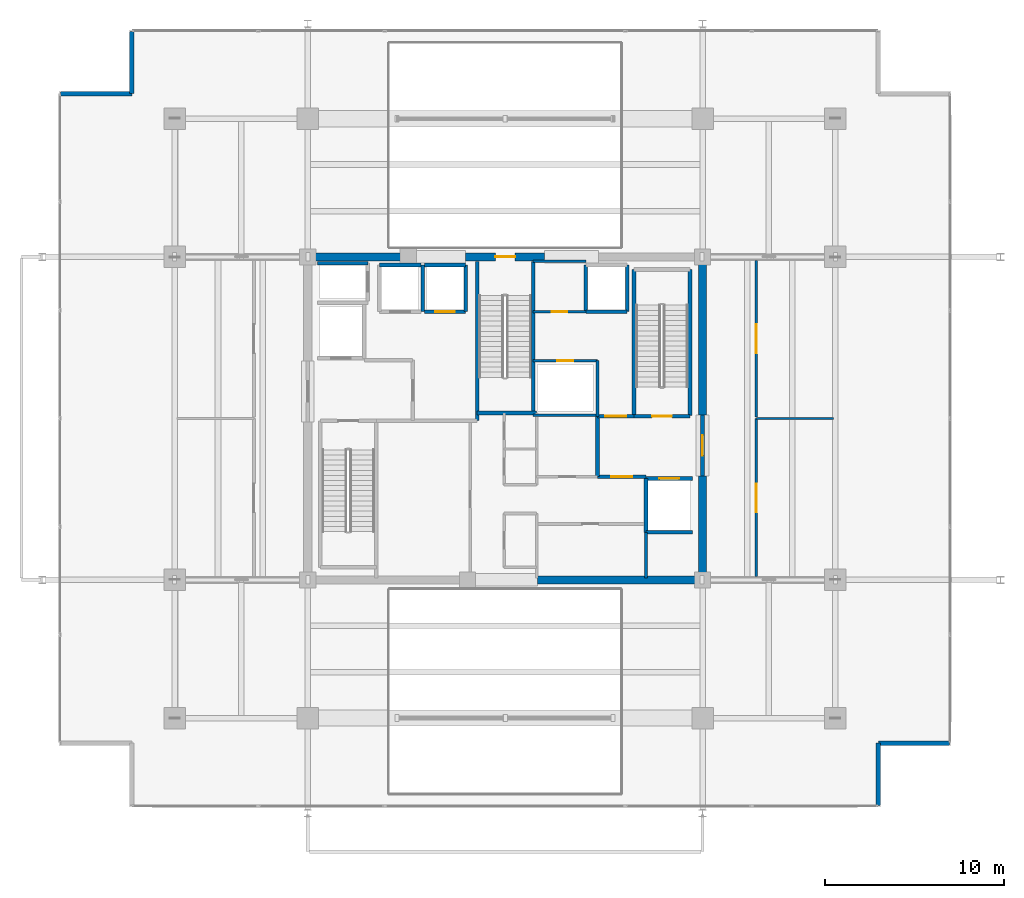
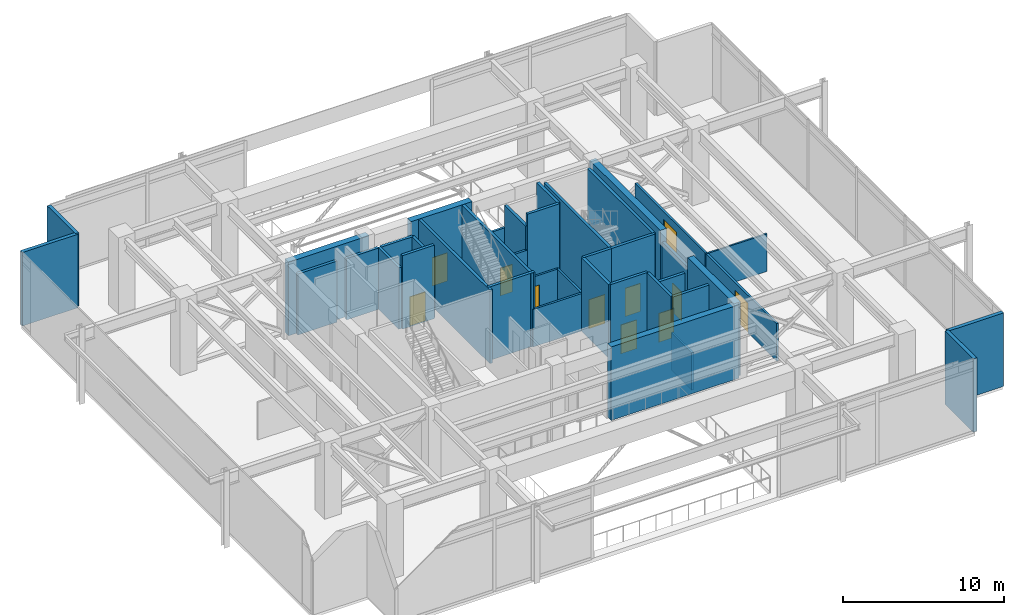
# One storey, part 23 of 26: 40 walls, 11 doors, 11 openings.
"""IFC4 building model written with IfcOpenShell, lengths in metres."""

from ifc_helpers import new_model, si_unit, direction, frame, frame_2d, origin, place, context, subcontext, project, spatial, rectangle, extrude, material, layer, layer_set, type_object, element, fill, save


model = new_model("IFC4")

# Units and contexts
model_context = context("Model", 3, precision=1e-05, world=origin(), true_north=direction((0.0, 1.0)))
body_context = subcontext(model_context, "Body", "Model", "MODEL_VIEW")
ifc_project = project(units=[si_unit("LENGTHUNIT", "METRE"), si_unit("AREAUNIT", "SQUARE_METRE"), si_unit("VOLUMEUNIT", "CUBIC_METRE"), si_unit("PLANEANGLEUNIT", "RADIAN"), si_unit("MASSUNIT", "GRAM", prefix="KILO")], contexts=[model_context])

# Site, building, storey
site_placement = place(None, origin())
site = spatial("IfcSite", under=ifc_project, at=site_placement, CompositionType="ELEMENT")
building_placement = place(site_placement, origin())
building = spatial("IfcBuilding", under=site, at=building_placement, Name="Kovane Verandah Tower", CompositionType="ELEMENT")
storey_placement = place(building_placement, frame((0.0, 0.0, 301.0)))
storey = spatial("IfcBuildingStorey", under=building, at=storey_placement, Name="L70", CompositionType="ELEMENT", Elevation=301.0)

# Walls
ifc_material_1 = material(Name="Fire-Rated Gypsum Stud Partition", Category="gypsum")
ifc_layer_1 = layer(ifc_material_1, 0.14990234375)
ifc_layer_set_1 = layer_set([ifc_layer_1], Name="Fire-Rated Gypsum Stud Partition")
wall_type_1 = type_object("IfcWallType", Name="WL-COR-150", PredefinedType="PARTITIONING", material=ifc_layer_set_1)
wall_1_placement = place(storey_placement, frame((41.56005859375, 27.679931640625, 0.0), z_axis=(0.0, 0.0, 1.0), x_axis=(1.0, 0.0, 0.0)))
element("IfcWall", 1, at=wall_1_placement, inside=storey, type_object=wall_type_1, Name="L70 East Core Service Riser South Wall", PredefinedType="PARTITIONING", context=body_context, shape_type="SweptSolid", body=[
    extrude(rectangle(XDim=3.58984375, YDim=0.14990234375, at=frame_2d((1.794921875, 0.0))), origin(), (0.0, 0.0, 1.0), 2.85009765625),
])
wall_2_placement = place(storey_placement, frame((47.85009765625, 18.60009765625, 0.0), z_axis=(0.0, 0.0, 1.0), x_axis=(0.0, 1.0, 0.0)))
element("IfcWall", 2, at=wall_2_placement, inside=storey, type_object=wall_type_1, Name="L70 East Core Support East Wall", PredefinedType="PARTITIONING", context=body_context, shape_type="SweptSolid", body=[
    extrude(rectangle(XDim=2.539794921875, YDim=0.14990234375, at=frame_2d((1.27001953125, 0.0))), origin(), (0.0, 0.0, 1.0), 2.85009765625),
])
wall_3_placement = place(storey_placement, frame((45.14990234375, 27.6201171875, 0.0), z_axis=(0.0, 0.0, 1.0), x_axis=(0.0, 1.0, 0.0)))
element("IfcWall", 3, at=wall_3_placement, inside=storey, type_object=wall_type_1, Name="L70 East Core Service Riser East Wall", PredefinedType="PARTITIONING", context=body_context, shape_type="SweptSolid", body=[
    extrude(rectangle(XDim=3.099853515625, YDim=0.14990234375, at=frame_2d((1.5498046875, 0.0))), origin(), (0.0, 0.0, 1.0), 2.85009765625),
])

# Wall, opening, door
wall_4_placement = place(storey_placement, frame((41.56005859375, 30.719970703125, 0.0), z_axis=(0.0, 0.0, 1.0), x_axis=(1.0, 0.0, 0.0)))
wall_4 = element("IfcWall", 4, at=wall_4_placement, inside=storey, type_object=wall_type_1, Name="L70 Combined Chilled Water and Smoke Duct Room Partition", PredefinedType="PARTITIONING", context=body_context, shape_type="SweptSolid", body=[
    extrude(rectangle(XDim=3.58984375, YDim=0.14990234375, at=frame_2d((1.794921875, 0.0))), origin(), (0.0, 0.0, 1.0), 2.85009765625),
])
opening_1_placement = place(wall_4_placement, frame((1.35498046875, 0.0, 0.0)))
opening_1 = element("IfcOpeningElement", 5, at=opening_1_placement, cuts=wall_4, Name="Opening DR-L70-016", PredefinedType="OPENING", context=body_context, shape_type="SweptSolid", body=[
    extrude(rectangle(XDim=0.8798828125, YDim=2.10009765625, at=frame_2d((0.43994140625, 1.050048828125))), frame((0.0, 0.074951171875, 0.0), z_axis=(0.0, -1.0, 0.0), x_axis=(1.0, 0.0, 0.0)), (0.0, 0.0, 1.0), 0.14990234375),
])
ifc_material_2 = material(Name="Fire-Rated Steel Riser Access Door", Category="steel")
door_type_1 = type_object("IfcDoorType", Name="DR-RISER-880", OperationType="SINGLE_SWING_LEFT", PredefinedType="DOOR", material=ifc_material_2)
door_1_placement = place(opening_1_placement, origin())
door_1 = element("IfcDoor", 6, at=door_1_placement, inside=storey, type_object=door_type_1, Name="L70 Combined Chilled Water and Smoke Duct Room Door", OperationType="SINGLE_SWING_LEFT", OverallHeight=2.10009765625, OverallWidth=0.8798828125, PredefinedType="DOOR", context=body_context, shape_type="SweptSolid", body=[
    extrude(rectangle(XDim=0.8798828125, YDim=2.10009765625, at=frame_2d((0.43994140625, 1.050048828125))), frame((0.0, 0.02490234375, 0.0), z_axis=(0.0, -1.0, 0.0), x_axis=(1.0, 0.0, 0.0)), (0.0, 0.0, 1.0), 0.050048828125),
])
fill(opening_1, door_1)

# Wall
wall_5_placement = place(storey_placement, frame((41.56005859375, 36.25, 0.0), z_axis=(0.0, 0.0, 1.0), x_axis=(1.0, 0.0, 0.0)))
element("IfcWall", 7, at=wall_5_placement, inside=storey, type_object=wall_type_1, Name="L70 Sky Telecom Riser North Wall", PredefinedType="PARTITIONING", context=body_context, shape_type="SweptSolid", body=[
    extrude(rectangle(XDim=2.93994140625, YDim=0.14990234375, at=frame_2d((1.469970703125, 0.0))), origin(), (0.0, 0.0, 1.0), 2.85009765625),
])

# Wall, opening, door
wall_6_placement = place(storey_placement, frame((41.56005859375, 33.449951171875, 0.0), z_axis=(0.0, 0.0, 1.0), x_axis=(1.0, 0.0, 0.0)))
wall_6 = element("IfcWall", 8, at=wall_6_placement, inside=storey, type_object=wall_type_1, Name="L70 Sky Telecom Riser Room Partition", PredefinedType="PARTITIONING", context=body_context, shape_type="SweptSolid", body=[
    extrude(rectangle(XDim=2.93994140625, YDim=0.14990234375, at=frame_2d((1.469970703125, 0.0))), origin(), (0.0, 0.0, 1.0), 2.85009765625),
])
opening_2_placement = place(wall_6_placement, frame((1.030029296875, 0.0, 0.0)))
opening_2 = element("IfcOpeningElement", 9, at=opening_2_placement, cuts=wall_6, Name="Opening DR-L70-015", PredefinedType="OPENING", context=body_context, shape_type="SweptSolid", body=[
    extrude(rectangle(XDim=0.8798828125, YDim=2.10009765625, at=frame_2d((0.43994140625, 1.050048828125))), frame((0.0, 0.074951171875, 0.0), z_axis=(0.0, -1.0, 0.0), x_axis=(1.0, 0.0, 0.0)), (0.0, 0.0, 1.0), 0.14990234375),
])
door_2_placement = place(opening_2_placement, origin())
door_2 = element("IfcDoor", 10, at=door_2_placement, inside=storey, type_object=door_type_1, Name="L70 Sky Telecom Riser Room Door", OperationType="SINGLE_SWING_RIGHT", OverallHeight=2.10009765625, OverallWidth=0.8798828125, PredefinedType="DOOR", context=body_context, shape_type="SweptSolid", body=[
    extrude(rectangle(XDim=0.8798828125, YDim=2.10009765625, at=frame_2d((0.43994140625, 1.050048828125))), frame((0.0, 0.02490234375, 0.0), z_axis=(0.0, -1.0, 0.0), x_axis=(1.0, 0.0, 0.0)), (0.0, 0.0, 1.0), 0.050048828125),
])
fill(opening_2, door_2)

wall_7_placement = place(storey_placement, frame((54.0, 18.699951171875, 0.0), z_axis=(0.0, 0.0, 1.0), x_axis=(0.0, 1.0, 0.0)))
wall_7 = element("IfcWall", 11, at=wall_7_placement, inside=storey, type_object=wall_type_1, Name="L70 Electrical Switchgear Plant Room East Corridor Partition", PredefinedType="PARTITIONING", context=body_context, shape_type="SweptSolid", body=[
    extrude(rectangle(XDim=8.800048828125, YDim=0.14990234375, at=frame_2d((4.39990234375, 0.0))), origin(), (0.0, 0.0, 1.0), 2.85009765625),
])
opening_3_placement = place(wall_7_placement, frame((3.56494140625, 0.0, 0.0)))
opening_3 = element("IfcOpeningElement", 12, at=opening_3_placement, cuts=wall_7, Name="Opening DR-L70-011", PredefinedType="OPENING", context=body_context, shape_type="SweptSolid", body=[
    extrude(rectangle(XDim=1.60009765625, YDim=2.25, at=frame_2d((0.800048828125, 1.125))), frame((0.0, 0.074951171875, 0.0), z_axis=(0.0, -1.0, 0.0), x_axis=(1.0, 0.0, 0.0)), (0.0, 0.0, 1.0), 0.14990234375),
])
ifc_material_3 = material(Name="Louvred Acoustic Steel Double Plant Door", Category="steel")
door_type_2 = type_object("IfcDoorType", Name="DR-PLANT-1600", OperationType="DOUBLE_DOOR_SINGLE_SWING", PredefinedType="DOOR", material=ifc_material_3)
door_3_placement = place(opening_3_placement, origin())
door_3 = element("IfcDoor", 13, at=door_3_placement, inside=storey, type_object=door_type_2, Name="L70 Electrical Switchgear Plant Room East Entrance Door", OperationType="DOUBLE_DOOR_SINGLE_SWING", OverallHeight=2.25, OverallWidth=1.60009765625, PredefinedType="DOOR", context=body_context, shape_type="SweptSolid", body=[
    extrude(rectangle(XDim=1.60009765625, YDim=2.25, at=frame_2d((0.800048828125, 1.125))), frame((0.0, 0.02490234375, 0.0), z_axis=(0.0, -1.0, 0.0), x_axis=(1.0, 0.0, 0.0)), (0.0, 0.0, 1.0), 0.050048828125),
])
fill(opening_3, door_3)

wall_8_placement = place(storey_placement, frame((54.0, 27.570068359375, 0.0), z_axis=(0.0, 0.0, 1.0), x_axis=(0.0, 1.0, 0.0)))
wall_8 = element("IfcWall", 14, at=wall_8_placement, inside=storey, type_object=wall_type_1, Name="L70 Pressurisation Fan Plant Room East Corridor Partition", PredefinedType="PARTITIONING", context=body_context, shape_type="SweptSolid", body=[
    extrude(rectangle(XDim=8.72998046875, YDim=0.14990234375, at=frame_2d((4.364990234375, 0.0))), origin(), (0.0, 0.0, 1.0), 2.85009765625),
])
opening_4_placement = place(wall_8_placement, frame((3.56494140625, 0.0, 0.0)))
opening_4 = element("IfcOpeningElement", 15, at=opening_4_placement, cuts=wall_8, Name="Opening DR-L70-009", PredefinedType="OPENING", context=body_context, shape_type="SweptSolid", body=[
    extrude(rectangle(XDim=1.60009765625, YDim=2.25, at=frame_2d((0.800048828125, 1.125))), frame((0.0, 0.074951171875, 0.0), z_axis=(0.0, -1.0, 0.0), x_axis=(1.0, 0.0, 0.0)), (0.0, 0.0, 1.0), 0.14990234375),
])
door_4_placement = place(opening_4_placement, origin())
door_4 = element("IfcDoor", 16, at=door_4_placement, inside=storey, type_object=door_type_2, Name="L70 Pressurisation Fan Plant Room East Entrance Door", OperationType="DOUBLE_DOOR_SINGLE_SWING", OverallHeight=2.25, OverallWidth=1.60009765625, PredefinedType="DOOR", context=body_context, shape_type="SweptSolid", body=[
    extrude(rectangle(XDim=1.60009765625, YDim=2.25, at=frame_2d((0.800048828125, 1.125))), frame((0.0, 0.02490234375, 0.0), z_axis=(0.0, -1.0, 0.0), x_axis=(1.0, 0.0, 0.0)), (0.0, 0.0, 1.0), 0.050048828125),
])
fill(opening_4, door_4)

# Walls
ifc_material_4 = material(Name="Concrete C60/75", Category="concrete")
ifc_layer_2 = layer(ifc_material_4, 0.449951171875)
ifc_layer_set_2 = layer_set([ifc_layer_2], Name="Concrete C60/75")
wall_type_2 = type_object("IfcWallType", Name="WL-CORE-450", PredefinedType="SHEAR", material=ifc_layer_set_2)
wall_9_placement = place(storey_placement, frame((41.800048828125, 18.5, 0.0), z_axis=(0.0, 0.0, 1.0), x_axis=(1.0, 0.0, 0.0)))
element("IfcWall", 17, at=wall_9_placement, inside=storey, type_object=wall_type_2, Name="L70 Core Shear Wall CS-2", PredefinedType="SHEAR", context=body_context, shape_type="SweptSolid", body=[
    extrude(rectangle(XDim=9.199951171875, YDim=0.449951171875, at=frame_2d((4.60009765625, 0.0))), origin(), (0.0, 0.0, 1.0), 5.5849609375),
])
wall_10_placement = place(storey_placement, frame((29.0, 36.5, 0.0), z_axis=(0.0, 0.0, 1.0), x_axis=(1.0, 0.0, 0.0)))
element("IfcWall", 18, at=wall_10_placement, inside=storey, type_object=wall_type_2, Name="L70 Core Shear Wall CN-1", PredefinedType="SHEAR", context=body_context, shape_type="SweptSolid", body=[
    extrude(rectangle(XDim=5.800048828125, YDim=0.449951171875, at=frame_2d((2.89990234375, 0.0))), origin(), (0.0, 0.0, 1.0), 5.5849609375),
])

# Wall, opening, door
wall_11_placement = place(storey_placement, frame((37.800048828125, 36.5, 0.0), z_axis=(0.0, 0.0, 1.0), x_axis=(1.0, 0.0, 0.0)))
wall_11 = element("IfcWall", 19, at=wall_11_placement, inside=storey, type_object=wall_type_2, Name="L70 Core Shear Wall CN-2", PredefinedType="SHEAR", context=body_context, shape_type="SweptSolid", body=[
    extrude(rectangle(XDim=4.39990234375, YDim=0.449951171875, at=frame_2d((2.199951171875, 0.0))), origin(), (0.0, 0.0, 1.0), 5.5849609375),
])
opening_5_placement = place(wall_11_placement, frame((1.64990234375, 0.0, 0.0)))
opening_5 = element("IfcOpeningElement", 20, at=opening_5_placement, cuts=wall_11, Name="Opening DR-L70-008", PredefinedType="OPENING", context=body_context, shape_type="SweptSolid", body=[
    extrude(rectangle(XDim=1.10009765625, YDim=2.14990234375, at=frame_2d((0.550048828125, 1.074951171875))), frame((0.0, 0.22509765625, 0.0), z_axis=(0.0, -1.0, 0.0), x_axis=(1.0, 0.0, 0.0)), (0.0, 0.0, 1.0), 0.449951171875),
])
ifc_material_5 = material(Name="Fire-Rated Steel Exit Door", Category="steel")
door_type_3 = type_object("IfcDoorType", Name="DR-STAIR-1100", OperationType="SINGLE_SWING_LEFT", PredefinedType="DOOR", material=ifc_material_5)
door_5_placement = place(opening_5_placement, origin())
door_5 = element("IfcDoor", 21, at=door_5_placement, inside=storey, type_object=door_type_3, Name="L70 ST-03 Fire Exit Stair Door", OperationType="SINGLE_SWING_RIGHT", OverallHeight=2.14990234375, OverallWidth=1.10009765625, PredefinedType="DOOR", context=body_context, shape_type="SweptSolid", body=[
    extrude(rectangle(XDim=1.10009765625, YDim=2.14990234375, at=frame_2d((0.550048828125, 1.074951171875))), frame((0.0, 0.02490234375, 0.0), z_axis=(0.0, -1.0, 0.0), x_axis=(1.0, 0.0, 0.0)), (0.0, 0.0, 1.0), 0.050048828125),
])
fill(opening_5, door_5)

# Walls
wall_12_placement = place(storey_placement, frame((51.0, 18.5, 0.0), z_axis=(0.0, 0.0, 1.0), x_axis=(0.0, 1.0, 0.0)))
element("IfcWall", 22, at=wall_12_placement, inside=storey, type_object=wall_type_2, Name="L70 Core Shear Wall CE-1", PredefinedType="SHEAR", context=body_context, shape_type="SweptSolid", body=[
    extrude(rectangle(XDim=5.800048828125, YDim=0.449951171875, at=frame_2d((2.89990234375, 0.0))), origin(), (0.0, 0.0, 1.0), 5.5849609375),
])
wall_13_placement = place(storey_placement, frame((51.0, 27.699951171875, 0.0), z_axis=(0.0, 0.0, 1.0), x_axis=(0.0, 1.0, 0.0)))
element("IfcWall", 23, at=wall_13_placement, inside=storey, type_object=wall_type_2, Name="L70 Core Shear Wall CE-2", PredefinedType="SHEAR", context=body_context, shape_type="SweptSolid", body=[
    extrude(rectangle(XDim=8.800048828125, YDim=0.449951171875, at=frame_2d((4.39990234375, 0.0))), origin(), (0.0, 0.0, 1.0), 5.5849609375),
])
ifc_material_6 = material(Name="Concrete C45/55 Fire Wall", Category="concrete")
ifc_layer_3 = layer(ifc_material_6, 0.199951171875)
ifc_layer_set_3 = layer_set([ifc_layer_3], Name="Concrete C45/55 Fire Wall")
wall_type_3 = type_object("IfcWallType", Name="WL-FFL-200", PredefinedType="PARTITIONING", material=ifc_layer_set_3)
wall_14_placement = place(storey_placement, frame((45.14990234375, 24.25, 0.0), z_axis=(0.0, 0.0, 1.0), x_axis=(0.0, 1.0, 0.0)))
element("IfcWall", 24, at=wall_14_placement, inside=storey, type_object=wall_type_3, Name="L70 East Firefighting Lobby West Fire Wall", PredefinedType="PARTITIONING", context=body_context, shape_type="SweptSolid", body=[
    extrude(rectangle(XDim=3.3701171875, YDim=0.199951171875, at=frame_2d((1.68505859375, 0.0))), origin(), (0.0, 0.0, 1.0), 5.5849609375),
])

# Wall, opening, door
wall_15_placement = place(storey_placement, frame((45.14990234375, 24.25, 0.0), z_axis=(0.0, 0.0, 1.0), x_axis=(1.0, 0.0, 0.0)))
wall_15 = element("IfcWall", 25, at=wall_15_placement, inside=storey, type_object=wall_type_3, Name="W-L70-FFLE-S", PredefinedType="PARTITIONING", context=body_context, shape_type="SweptSolid", body=[
    extrude(rectangle(XDim=2.7001953125, YDim=0.199951171875, at=frame_2d((1.35009765625, 0.0))), origin(), (0.0, 0.0, 1.0), 5.5849609375),
])
opening_6_placement = place(wall_15_placement, frame((0.77490234375, 0.0, 0.0)))
opening_6 = element("IfcOpeningElement", 26, at=opening_6_placement, cuts=wall_15, Name="Opening DR-L70-001", PredefinedType="OPENING", context=body_context, shape_type="SweptSolid", body=[
    extrude(rectangle(XDim=1.14990234375, YDim=2.199951171875, at=frame_2d((0.574951171875, 1.10009765625))), frame((0.0, 0.10009765625, 0.0), z_axis=(0.0, -1.0, 0.0), x_axis=(1.0, 0.0, 0.0)), (0.0, 0.0, 1.0), 0.199951171875),
])
ifc_material_7 = material(Name="Smoke-Sealed Firefighting Lobby Door", Category="steel")
door_type_4 = type_object("IfcDoorType", Name="DR-FFL-1150", OperationType="SINGLE_SWING_LEFT", PredefinedType="DOOR", material=ifc_material_7)
door_6_placement = place(opening_6_placement, origin())
door_6 = element("IfcDoor", 27, at=door_6_placement, inside=storey, type_object=door_type_4, Name="L70 East Firefighting Lobby Inner Door", OperationType="SINGLE_SWING_RIGHT", OverallHeight=2.199951171875, OverallWidth=1.14990234375, PredefinedType="DOOR", context=body_context, shape_type="SweptSolid", body=[
    extrude(rectangle(XDim=1.14990234375, YDim=2.199951171875, at=frame_2d((0.574951171875, 1.10009765625))), frame((0.0, 0.02490234375, 0.0), z_axis=(0.0, -1.0, 0.0), x_axis=(1.0, 0.0, 0.0)), (0.0, 0.0, 1.0), 0.050048828125),
])
fill(opening_6, door_6)

wall_16_placement = place(storey_placement, frame((45.14990234375, 27.6201171875, 0.0), z_axis=(0.0, 0.0, 1.0), x_axis=(1.0, 0.0, 0.0)))
wall_16 = element("IfcWall", 28, at=wall_16_placement, inside=storey, type_object=wall_type_3, Name="W-L70-FFLE-N", PredefinedType="PARTITIONING", context=body_context, shape_type="SweptSolid", body=[
    extrude(rectangle(XDim=2.030029296875, YDim=0.199951171875, at=frame_2d((1.01513671875, 0.0))), origin(), (0.0, 0.0, 1.0), 5.5849609375),
])
opening_7_placement = place(wall_16_placement, frame((0.43994140625, 0.0, 0.0)))
opening_7 = element("IfcOpeningElement", 29, at=opening_7_placement, cuts=wall_16, Name="Opening DR-L70-002", PredefinedType="OPENING", context=body_context, shape_type="SweptSolid", body=[
    extrude(rectangle(XDim=1.14990234375, YDim=2.199951171875, at=frame_2d((0.574951171875, 1.10009765625))), frame((0.0, 0.10009765625, 0.0), z_axis=(0.0, -1.0, 0.0), x_axis=(1.0, 0.0, 0.0)), (0.0, 0.0, 1.0), 0.199951171875),
])
door_7_placement = place(opening_7_placement, origin())
door_7 = element("IfcDoor", 30, at=door_7_placement, inside=storey, type_object=door_type_4, Name="L70 East Firefighting Lobby Shuttle Link Door", OperationType="SINGLE_SWING_LEFT", OverallHeight=2.199951171875, OverallWidth=1.14990234375, PredefinedType="DOOR", context=body_context, shape_type="SweptSolid", body=[
    extrude(rectangle(XDim=1.14990234375, YDim=2.199951171875, at=frame_2d((0.574951171875, 1.10009765625))), frame((0.0, 0.02490234375, 0.0), z_axis=(0.0, -1.0, 0.0), x_axis=(1.0, 0.0, 0.0)), (0.0, 0.0, 1.0), 0.050048828125),
])
fill(opening_7, door_7)

wall_17_placement = place(storey_placement, frame((51.0, 24.300048828125, 0.0), z_axis=(0.0, 0.0, 1.0), x_axis=(0.0, 1.0, 0.0)))
wall_17 = element("IfcWall", 31, at=wall_17_placement, inside=storey, type_object=wall_type_3, Name="W-L70-FFLE-OUT", PredefinedType="PARTITIONING", context=body_context, shape_type="SweptSolid", body=[
    extrude(rectangle(XDim=3.39990234375, YDim=0.199951171875, at=frame_2d((1.699951171875, 0.0))), origin(), (0.0, 0.0, 1.0), 4.6650390625),
])
opening_8_placement = place(wall_17_placement, frame((1.125, 0.0, 0.0)))
opening_8 = element("IfcOpeningElement", 32, at=opening_8_placement, cuts=wall_17, Name="Opening DR-L70-003", PredefinedType="OPENING", context=body_context, shape_type="SweptSolid", body=[
    extrude(rectangle(XDim=1.14990234375, YDim=2.199951171875, at=frame_2d((0.574951171875, 1.10009765625))), frame((0.0, 0.10009765625, 0.0), z_axis=(0.0, -1.0, 0.0), x_axis=(1.0, 0.0, 0.0)), (0.0, 0.0, 1.0), 0.199951171875),
])
door_8_placement = place(opening_8_placement, origin())
door_8 = element("IfcDoor", 33, at=door_8_placement, inside=storey, type_object=door_type_4, Name="L70 East Firefighting Lobby Corridor Door", OperationType="SINGLE_SWING_LEFT", OverallHeight=2.199951171875, OverallWidth=1.14990234375, PredefinedType="DOOR", context=body_context, shape_type="SweptSolid", body=[
    extrude(rectangle(XDim=1.14990234375, YDim=2.199951171875, at=frame_2d((0.574951171875, 1.10009765625))), frame((0.0, 0.02490234375, 0.0), z_axis=(0.0, -1.0, 0.0), x_axis=(1.0, 0.0, 0.0)), (0.0, 0.0, 1.0), 0.050048828125),
])
fill(opening_8, door_8)

# Wall
ifc_material_8 = material(Name="Concrete C45/55 Lift Shaft Wall", Category="concrete")
ifc_layer_4 = layer(ifc_material_8, 0.199951171875)
ifc_layer_set_4 = layer_set([ifc_layer_4], Name="Concrete C45/55 Lift Shaft Wall")
wall_type_4 = type_object("IfcWallType", Name="WL-LIFT-200", PredefinedType="SOLIDWALL", material=ifc_layer_set_4)
wall_18_placement = place(storey_placement, frame((47.85009765625, 21.14990234375, 0.0), z_axis=(0.0, 0.0, 1.0), x_axis=(1.0, 0.0, 0.0)))
element("IfcWall", 34, at=wall_18_placement, inside=storey, type_object=wall_type_4, Name="L70 Lift FL-02 S Shaft Wall", PredefinedType="SOLIDWALL", context=body_context, shape_type="SweptSolid", body=[
    extrude(rectangle(XDim=2.599853515625, YDim=0.199951171875, at=frame_2d((1.2998046875, 0.0))), origin(), (0.0, 0.0, 1.0), 5.5849609375),
])

# Wall, opening, door
wall_19_placement = place(storey_placement, frame((50.449951171875, 24.14990234375, 0.0), z_axis=(0.0, 0.0, 1.0), x_axis=(-1.0, 0.0, 0.0)))
wall_19 = element("IfcWall", 35, at=wall_19_placement, inside=storey, type_object=wall_type_4, Name="L70 Lift FL-02 N Shaft Wall", PredefinedType="SOLIDWALL", context=body_context, shape_type="SweptSolid", body=[
    extrude(rectangle(XDim=2.599853515625, YDim=0.199951171875, at=frame_2d((1.2998046875, 0.0))), origin(), (0.0, 0.0, 1.0), 4.6650390625),
])
opening_9_placement = place(wall_19_placement, frame((0.75, 0.0, 0.0)))
opening_9 = element("IfcOpeningElement", 36, at=opening_9_placement, cuts=wall_19, Name="Opening LD-L70-002", PredefinedType="OPENING", context=body_context, shape_type="SweptSolid", body=[
    extrude(rectangle(XDim=1.10009765625, YDim=2.199951171875, at=frame_2d((0.550048828125, 1.10009765625))), frame((0.0, 0.10009765625, 0.0), z_axis=(0.0, -1.0, 0.0), x_axis=(1.0, 0.0, 0.0)), (0.0, 0.0, 1.0), 0.199951171875),
])
ifc_material_9 = material(Name="Brushed Stainless Steel Sliding Lift Landing Door", Category="steel")
door_type_5 = type_object("IfcDoorType", Name="DR-LIFT-1100", OperationType="SLIDING_TO_RIGHT", PredefinedType="DOOR", material=ifc_material_9)
door_9_placement = place(opening_9_placement, origin())
door_9 = element("IfcDoor", 37, at=door_9_placement, inside=storey, type_object=door_type_5, Name="L70 Lift FL-02 Sliding Landing Door", OperationType="SLIDING_TO_RIGHT", OverallHeight=2.199951171875, OverallWidth=1.10009765625, PredefinedType="DOOR", context=body_context, shape_type="SweptSolid", body=[
    extrude(rectangle(XDim=1.10009765625, YDim=2.199951171875, at=frame_2d((0.550048828125, 1.10009765625))), frame((0.0, 0.02490234375, 0.0), z_axis=(0.0, -1.0, 0.0), x_axis=(1.0, 0.0, 0.0)), (0.0, 0.0, 1.0), 0.050048828125),
])
fill(opening_9, door_9)

# Walls
wall_20_placement = place(storey_placement, frame((47.85009765625, 24.14990234375, 0.0), z_axis=(0.0, 0.0, 1.0), x_axis=(0.0, -1.0, 0.0)))
element("IfcWall", 38, at=wall_20_placement, inside=storey, type_object=wall_type_4, Name="L70 Lift FL-02 W Shaft Wall", PredefinedType="SOLIDWALL", context=body_context, shape_type="SweptSolid", body=[
    extrude(rectangle(XDim=3.0, YDim=0.199951171875, at=frame_2d((1.5, 0.0))), origin(), (0.0, 0.0, 1.0), 5.5849609375),
])
wall_21_placement = place(storey_placement, frame((32.35009765625, 36.14990234375, 0.0), z_axis=(0.0, 0.0, 1.0), x_axis=(-1.0, 0.0, 0.0)))
element("IfcWall", 39, at=wall_21_placement, inside=storey, type_object=wall_type_4, Name="L70 Lift GL-01 N Shaft Wall", PredefinedType="SOLIDWALL", context=body_context, shape_type="SweptSolid", body=[
    extrude(rectangle(XDim=2.800048828125, YDim=0.199951171875, at=frame_2d((1.39990234375, 0.0))), origin(), (0.0, 0.0, 1.0), 4.638427734375),
])
wall_22_placement = place(storey_placement, frame((35.300048828125, 36.050048828125, 0.0), z_axis=(0.0, 0.0, 1.0), x_axis=(-1.0, 0.0, 0.0)))
element("IfcWall", 40, at=wall_22_placement, inside=storey, type_object=wall_type_4, Name="L70 Lift PL-H1 N Shaft Wall", PredefinedType="SOLIDWALL", context=body_context, shape_type="SweptSolid", body=[
    extrude(rectangle(XDim=2.300048828125, YDim=0.199951171875, at=frame_2d((1.14990234375, 0.0))), origin(), (0.0, 0.0, 1.0), 4.6650390625),
])
wall_23_placement = place(storey_placement, frame((35.39990234375, 33.449951171875, 0.0), z_axis=(0.0, 0.0, 1.0), x_axis=(0.0, 1.0, 0.0)))
element("IfcWall", 41, at=wall_23_placement, inside=storey, type_object=wall_type_4, Name="L70 Lift PL-H1 and PL-H2 Shared Shaft Wall", PredefinedType="SOLIDWALL", context=body_context, shape_type="SweptSolid", body=[
    extrude(rectangle(XDim=2.60009765625, YDim=0.199951171875, at=frame_2d((1.300048828125, 0.0))), origin(), (0.0, 0.0, 1.0), 4.6650390625),
])

# Wall, opening, door
wall_24_placement = place(storey_placement, frame((35.5, 33.449951171875, 0.0), z_axis=(0.0, 0.0, 1.0), x_axis=(1.0, 0.0, 0.0)))
wall_24 = element("IfcWall", 42, at=wall_24_placement, inside=storey, type_object=wall_type_4, Name="L70 Lift PL-H2 S Shaft Wall", PredefinedType="SOLIDWALL", context=body_context, shape_type="SweptSolid", body=[
    extrude(rectangle(XDim=2.300048828125, YDim=0.199951171875, at=frame_2d((1.14990234375, 0.0))), origin(), (0.0, 0.0, 1.0), 5.5849609375),
])
opening_10_placement = place(wall_24_placement, frame((0.60009765625, 0.0, 0.0)))
opening_10 = element("IfcOpeningElement", 43, at=opening_10_placement, cuts=wall_24, Name="Opening LD-L70-005", PredefinedType="OPENING", context=body_context, shape_type="SweptSolid", body=[
    extrude(rectangle(XDim=1.10009765625, YDim=2.199951171875, at=frame_2d((0.550048828125, 1.10009765625))), frame((0.0, 0.10009765625, 0.0), z_axis=(0.0, -1.0, 0.0), x_axis=(1.0, 0.0, 0.0)), (0.0, 0.0, 1.0), 0.199951171875),
])
door_10_placement = place(opening_10_placement, origin())
door_10 = element("IfcDoor", 44, at=door_10_placement, inside=storey, type_object=door_type_5, Name="L70 Lift PL-H2 Sliding Landing Door", OperationType="SLIDING_TO_RIGHT", OverallHeight=2.199951171875, OverallWidth=1.10009765625, PredefinedType="DOOR", context=body_context, shape_type="SweptSolid", body=[
    extrude(rectangle(XDim=1.10009765625, YDim=2.199951171875, at=frame_2d((0.550048828125, 1.10009765625))), frame((0.0, 0.02490234375, 0.0), z_axis=(0.0, -1.0, 0.0), x_axis=(1.0, 0.0, 0.0)), (0.0, 0.0, 1.0), 0.050048828125),
])
fill(opening_10, door_10)

# Walls
wall_25_placement = place(storey_placement, frame((37.800048828125, 36.050048828125, 0.0), z_axis=(0.0, 0.0, 1.0), x_axis=(-1.0, 0.0, 0.0)))
element("IfcWall", 45, at=wall_25_placement, inside=storey, type_object=wall_type_4, Name="L70 Lift PL-H2 N Shaft Wall", PredefinedType="SOLIDWALL", context=body_context, shape_type="SweptSolid", body=[
    extrude(rectangle(XDim=2.300048828125, YDim=0.199951171875, at=frame_2d((1.14990234375, 0.0))), origin(), (0.0, 0.0, 1.0), 4.6650390625),
])
wall_26_placement = place(storey_placement, frame((37.800048828125, 33.449951171875, 0.0), z_axis=(0.0, 0.0, 1.0), x_axis=(0.0, 1.0, 0.0)))
element("IfcWall", 46, at=wall_26_placement, inside=storey, type_object=wall_type_4, Name="L70 Lift PL-H2 E Shaft Wall", PredefinedType="SOLIDWALL", context=body_context, shape_type="SweptSolid", body=[
    extrude(rectangle(XDim=2.60009765625, YDim=0.199951171875, at=frame_2d((1.300048828125, 0.0))), origin(), (0.0, 0.0, 1.0), 4.6650390625),
])
wall_27_placement = place(storey_placement, frame((44.5, 33.449951171875, 0.0), z_axis=(0.0, 0.0, 1.0), x_axis=(1.0, 0.0, 0.0)))
element("IfcWall", 47, at=wall_27_placement, inside=storey, type_object=wall_type_4, Name="L70 Lift OL-01 S Shaft Wall", PredefinedType="SOLIDWALL", context=body_context, shape_type="SweptSolid", body=[
    extrude(rectangle(XDim=2.300048828125, YDim=0.199951171875, at=frame_2d((1.14990234375, 0.0))), origin(), (0.0, 0.0, 1.0), 5.5849609375),
])
wall_28_placement = place(storey_placement, frame((44.5, 36.050048828125, 0.0), z_axis=(0.0, 0.0, 1.0), x_axis=(0.0, -1.0, 0.0)))
element("IfcWall", 48, at=wall_28_placement, inside=storey, type_object=wall_type_4, Name="L70 Lift OL-01 W Shaft Wall", PredefinedType="SOLIDWALL", context=body_context, shape_type="SweptSolid", body=[
    extrude(rectangle(XDim=2.60009765625, YDim=0.199951171875, at=frame_2d((1.300048828125, 0.0))), origin(), (0.0, 0.0, 1.0), 4.6650390625),
])
wall_29_placement = place(storey_placement, frame((46.800048828125, 33.449951171875, 0.0), z_axis=(0.0, 0.0, 1.0), x_axis=(0.0, 1.0, 0.0)))
element("IfcWall", 49, at=wall_29_placement, inside=storey, type_object=wall_type_4, Name="L70 Lift OL-01 E Shaft Wall", PredefinedType="SOLIDWALL", context=body_context, shape_type="SweptSolid", body=[
    extrude(rectangle(XDim=2.60009765625, YDim=0.199951171875, at=frame_2d((1.300048828125, 0.0))), origin(), (0.0, 0.0, 1.0), 5.5849609375),
])
ifc_material_10 = material(Name="Acoustic Fire-Rated Gypsum Partition", Category="gypsum")
ifc_layer_5 = layer(ifc_material_10, 0.1201171875)
ifc_layer_set_5 = layer_set([ifc_layer_5], Name="Acoustic Fire-Rated Gypsum Partition")
wall_type_5 = type_object("IfcWallType", Name="WL-PART-120", PredefinedType="PARTITIONING", material=ifc_layer_set_5)
wall_30_placement = place(storey_placement, frame((54.0, 27.5, 0.0), z_axis=(0.0, 0.0, 1.0), x_axis=(1.0, 0.0, 0.0)))
element("IfcWall", 50, at=wall_30_placement, inside=storey, type_object=wall_type_5, Name="L70 Electrical Switchgear Plant Room East Dividing Partition", PredefinedType="PARTITIONING", context=body_context, shape_type="SweptSolid", body=[
    extrude(rectangle(XDim=4.300048828125, YDim=0.1201171875, at=frame_2d((2.14990234375, 0.0))), origin(), (0.0, 0.0, 1.0), 2.85009765625),
])
ifc_material_11 = material(Name="Concrete C45/55", Category="concrete")
ifc_layer_6 = layer(ifc_material_11, 0.199951171875)
ifc_layer_set_6 = layer_set([ifc_layer_6], Name="Concrete C45/55")
wall_type_6 = type_object("IfcWallType", Name="WL-SHAFT-200", PredefinedType="SOLIDWALL", material=ifc_layer_set_6)
wall_31_placement = place(storey_placement, frame((50.300048828125, 27.64990234375, 0.0), z_axis=(0.0, 0.0, 1.0), x_axis=(0.0, 1.0, 0.0)))
element("IfcWall", 51, at=wall_31_placement, inside=storey, type_object=wall_type_6, Name="W-L70-ST02-E", PredefinedType="SOLIDWALL", context=body_context, shape_type="SweptSolid", body=[
    extrude(rectangle(XDim=8.150146484375, YDim=0.199951171875, at=frame_2d((4.0751953125, 0.0))), origin(), (0.0, 0.0, 1.0), 5.5849609375),
])
wall_32_placement = place(storey_placement, frame((47.179931640625, 27.6201171875, 0.0), z_axis=(0.0, 0.0, 1.0), x_axis=(0.0, 1.0, 0.0)))
element("IfcWall", 52, at=wall_32_placement, inside=storey, type_object=wall_type_6, Name="W-L70-ST02-W", PredefinedType="SOLIDWALL", context=body_context, shape_type="SweptSolid", body=[
    extrude(rectangle(XDim=8.179931640625, YDim=0.199951171875, at=frame_2d((4.08984375, 0.0))), origin(), (0.0, 0.0, 1.0), 5.5849609375),
])

# Wall, opening, door
wall_33_placement = place(storey_placement, frame((47.179931640625, 27.6201171875, 0.0), z_axis=(0.0, 0.0, 1.0), x_axis=(1.0, 0.0, 0.0)))
wall_33 = element("IfcWall", 53, at=wall_33_placement, inside=storey, type_object=wall_type_6, Name="W-L70-ST02-S", PredefinedType="SOLIDWALL", context=body_context, shape_type="SweptSolid", body=[
    extrude(rectangle(XDim=3.1201171875, YDim=0.199951171875, at=frame_2d((1.56005859375, 0.0))), origin(), (0.0, 0.0, 1.0), 5.5849609375),
])
opening_11_placement = place(wall_33_placement, frame((1.010009765625, 0.0, 0.0)))
opening_11 = element("IfcOpeningElement", 54, at=opening_11_placement, cuts=wall_33, Name="Opening DR-L70-007", PredefinedType="OPENING", context=body_context, shape_type="SweptSolid", body=[
    extrude(rectangle(XDim=1.10009765625, YDim=2.14990234375, at=frame_2d((0.550048828125, 1.074951171875))), frame((0.0, 0.10009765625, 0.0), z_axis=(0.0, -1.0, 0.0), x_axis=(1.0, 0.0, 0.0)), (0.0, 0.0, 1.0), 0.199951171875),
])
door_11_placement = place(opening_11_placement, origin())
door_11 = element("IfcDoor", 55, at=door_11_placement, inside=storey, type_object=door_type_3, Name="L70 ST-02 Fire Exit Stair Door", OperationType="SINGLE_SWING_LEFT", OverallHeight=2.14990234375, OverallWidth=1.10009765625, PredefinedType="DOOR", context=body_context, shape_type="SweptSolid", body=[
    extrude(rectangle(XDim=1.10009765625, YDim=2.14990234375, at=frame_2d((0.550048828125, 1.074951171875))), frame((0.0, 0.02490234375, 0.0), z_axis=(0.0, -1.0, 0.0), x_axis=(1.0, 0.0, 0.0)), (0.0, 0.0, 1.0), 0.050048828125),
])
fill(opening_11, door_11)

# Walls
wall_34_placement = place(storey_placement, frame((38.43994140625, 27.3798828125, 0.0), z_axis=(0.0, 0.0, 1.0), x_axis=(0.0, 1.0, 0.0)))
element("IfcWall", 56, at=wall_34_placement, inside=storey, type_object=wall_type_6, Name="W-L70-ST03-W", PredefinedType="SOLIDWALL", context=body_context, shape_type="SweptSolid", body=[
    extrude(rectangle(XDim=8.8701171875, YDim=0.199951171875, at=frame_2d((4.43505859375, 0.0))), origin(), (0.0, 0.0, 1.0), 5.5849609375),
])
wall_35_placement = place(storey_placement, frame((41.56005859375, 27.679931640625, 0.0), z_axis=(0.0, 0.0, 1.0), x_axis=(0.0, 1.0, 0.0)))
element("IfcWall", 57, at=wall_35_placement, inside=storey, type_object=wall_type_6, Name="W-L70-ST03-E", PredefinedType="SOLIDWALL", context=body_context, shape_type="SweptSolid", body=[
    extrude(rectangle(XDim=8.570068359375, YDim=0.199951171875, at=frame_2d((4.28515625, 0.0))), origin(), (0.0, 0.0, 1.0), 5.5849609375),
])
wall_36_placement = place(storey_placement, frame((38.43994140625, 27.800048828125, 0.0), z_axis=(0.0, 0.0, 1.0), x_axis=(1.0, 0.0, 0.0)))
element("IfcWall", 58, at=wall_36_placement, inside=storey, type_object=wall_type_6, Name="W-L70-ST03-S", PredefinedType="SOLIDWALL", context=body_context, shape_type="SweptSolid", body=[
    extrude(rectangle(XDim=3.320068359375, YDim=0.199951171875, at=frame_2d((1.66015625, 0.0))), origin(), (0.0, 0.0, 1.0), 5.5849609375),
])
ifc_material_12 = material(Name="Concrete C45/55 Insulated Spandrel Wall", Category="concrete")
ifc_layer_7 = layer(ifc_material_12, 0.260009765625)
ifc_layer_set_7 = layer_set([ifc_layer_7], Name="Concrete C45/55 Insulated Spandrel Wall")
wall_type_7 = type_object("IfcWallType", Name="WL-SPANDREL-260", PredefinedType="PARAPET", material=ifc_layer_set_7)
wall_37_placement = place(storey_placement, frame((60.800048828125, 5.89990234375, 0.0), z_axis=(0.0, 0.0, 1.0), x_axis=(0.0, 1.0, 0.0)))
element("IfcWall", 59, at=wall_37_placement, inside=storey, type_object=wall_type_7, Name="L70 SE Notch Cheek Wall 1", PredefinedType="PARAPET", context=body_context, shape_type="SweptSolid", body=[
    extrude(rectangle(XDim=3.5, YDim=0.260009765625, at=frame_2d((1.75, 0.0))), origin(), (0.0, 0.0, 1.0), 5.5849609375),
])
wall_38_placement = place(storey_placement, frame((60.800048828125, 9.39990234375, 0.0), z_axis=(0.0, 0.0, 1.0), x_axis=(1.0, 0.0, 0.0)))
element("IfcWall", 60, at=wall_38_placement, inside=storey, type_object=wall_type_7, Name="L70 SE Notch Cheek Wall 2", PredefinedType="PARAPET", context=body_context, shape_type="SweptSolid", body=[
    extrude(rectangle(XDim=4.0, YDim=0.260009765625, at=frame_2d((2.0, 0.0))), origin(), (0.0, 0.0, 1.0), 5.5849609375),
])
wall_39_placement = place(storey_placement, frame((19.199951171875, 49.10009765625, 0.0), z_axis=(0.0, 0.0, 1.0), x_axis=(0.0, -1.0, 0.0)))
element("IfcWall", 61, at=wall_39_placement, inside=storey, type_object=wall_type_7, Name="L70 NW Notch Cheek Wall 1", PredefinedType="PARAPET", context=body_context, shape_type="SweptSolid", body=[
    extrude(rectangle(XDim=3.5, YDim=0.260009765625, at=frame_2d((1.75, 0.0))), origin(), (0.0, 0.0, 1.0), 5.5849609375),
])
wall_40_placement = place(storey_placement, frame((19.199951171875, 45.60009765625, 0.0), z_axis=(0.0, 0.0, 1.0), x_axis=(-1.0, 0.0, 0.0)))
element("IfcWall", 62, at=wall_40_placement, inside=storey, type_object=wall_type_7, Name="L70 NW Notch Cheek Wall 2", PredefinedType="PARAPET", context=body_context, shape_type="SweptSolid", body=[
    extrude(rectangle(XDim=4.0, YDim=0.260009765625, at=frame_2d((2.0, 0.0))), origin(), (0.0, 0.0, 1.0), 5.5849609375),
])

save(model, "model.ifc")
